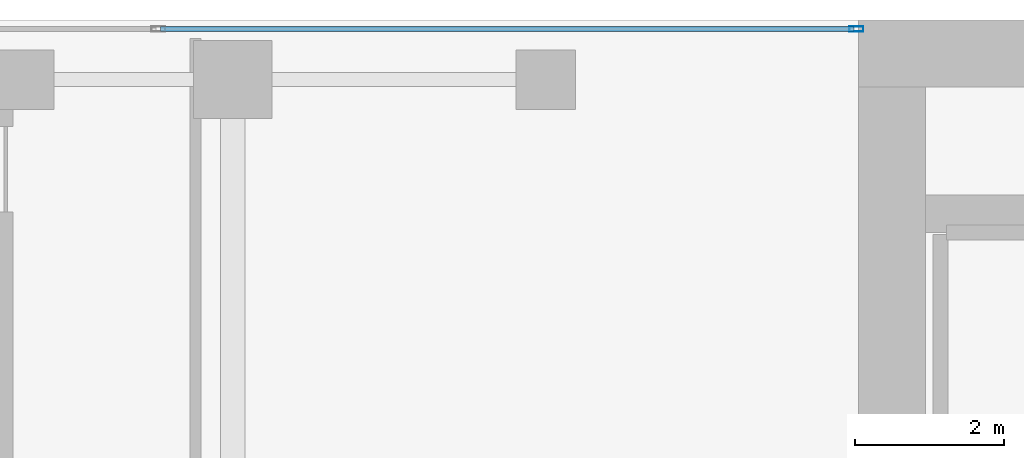
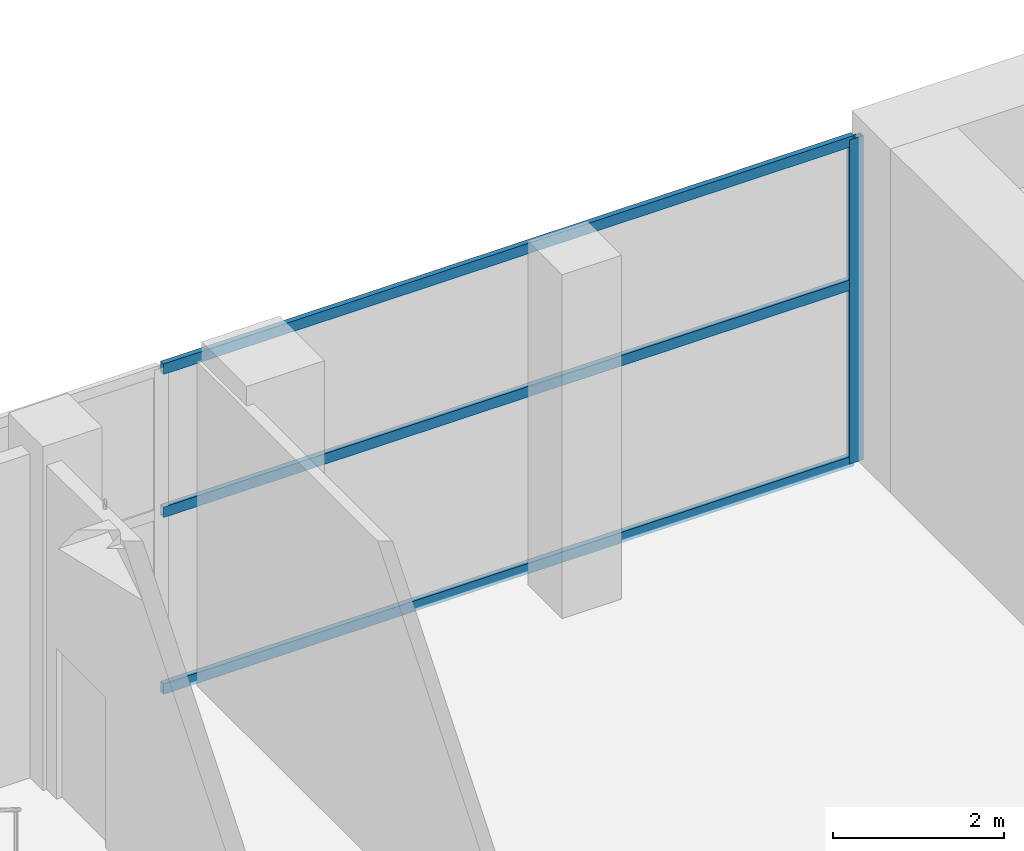
# One storey, part 21 of 39: 4 members, 1 element without a shape of its own.
"""IFC4 building model written with IfcOpenShell, lengths in metres."""

from ifc_helpers import new_model, si_unit, direction, frame, origin, origin_2d, place, context, subcontext, project, spatial, hollow_rectangle, extrude, material, layer, layer_set, material_profile, profile_set, type_object, element, aggregate, save


model = new_model("IFC4")

# Units and contexts
model_context = context("Model", 3, precision=1e-05, world=origin(), true_north=direction((0.0, 1.0)))
body_context = subcontext(model_context, "Body", "Model", "MODEL_VIEW")
ifc_project = project(units=[si_unit("LENGTHUNIT", "METRE"), si_unit("AREAUNIT", "SQUARE_METRE"), si_unit("VOLUMEUNIT", "CUBIC_METRE"), si_unit("PLANEANGLEUNIT", "RADIAN"), si_unit("MASSUNIT", "GRAM", prefix="KILO")], contexts=[model_context])

# Site, building, storey
site_placement = place(None, origin())
site = spatial("IfcSite", under=ifc_project, at=site_placement, CompositionType="ELEMENT")
building_placement = place(site_placement, origin())
building = spatial("IfcBuilding", under=site, at=building_placement, Name="Maruvema Waterfront Hotel and Observation Tower", CompositionType="ELEMENT")
storey_placement = place(building_placement, frame((0.0, 0.0, 16.449951171875)))
storey = spatial("IfcBuildingStorey", under=building, at=storey_placement, Name="L03", CompositionType="ELEMENT", Elevation=16.449951171875)

# Curtain wall, members
ifc_material_1 = material(Name="Anodised bronze aluminium and solar-control low-E IGU", Category="aluminium")
ifc_layer = layer(ifc_material_1, 0.159912109375, Name="Podium Waterfront Storefront Curtain Wall System CW-01")
ifc_layer_set = layer_set([ifc_layer], Name="Anodised bronze aluminium and solar-control low-E IGU")
curtain_wall_type = type_object("IfcCurtainWallType", Name="Podium Waterfront Storefront Curtain Wall System CW-01", PredefinedType="USERDEFINED", material=ifc_layer_set)
curtain_wall_placement = place(storey_placement, origin())
curtain_wall = element("IfcCurtainWall", 1, at=curtain_wall_placement, inside=storey, type_object=curtain_wall_type, Name="L03 Curtain Wall CW-L03-NW", ObjectType="UNITISED CURTAIN WALL", PredefinedType="USERDEFINED")
ifc_material_2 = material(Name="Anodised architectural bronze aluminium", Category="aluminium")
ifc_material_profile_1 = material_profile(ifc_material_2, hollow_rectangle(XDim=0.070068359375, YDim=0.14990234375, WallThickness=0.00390625, at=origin_2d()), Name="ALU-T70x150")
ifc_profile_set_1 = profile_set([ifc_material_profile_1], Name="Anodised architectural bronze aluminium")
member_type_1 = type_object("IfcMemberType", Name="Curtain Wall Horizontal Transom ALU-T70x150", PredefinedType="USERDEFINED", material=ifc_profile_set_1)
member_1_placement = place(storey_placement, frame((25.139892578125, 53.8798828125, 0.030029296875), z_axis=(-1.0, 0.0, 0.0), x_axis=(0.0, -1.0, 0.0)))
member_1 = element("IfcMember", 2, at=member_1_placement, type_object=member_type_1, Name="CW-01 transom 1.1", ObjectType="TRANSOM", PredefinedType="USERDEFINED", context=body_context, shape_type="SweptSolid", body=[
    extrude(hollow_rectangle(XDim=0.070068359375, YDim=0.14990234375, WallThickness=0.00390625, at=origin_2d()), origin(), (0.0, 0.0, 1.0), 9.309814453125),
])
member_2_placement = place(storey_placement, frame((25.139892578125, 53.8798828125, 2.550048828125), z_axis=(-1.0, 0.0, 0.0), x_axis=(0.0, -1.0, 0.0)))
member_2 = element("IfcMember", 3, at=member_2_placement, type_object=member_type_1, Name="CW-01 transom 1.2", ObjectType="TRANSOM", PredefinedType="USERDEFINED", context=body_context, shape_type="SweptSolid", body=[
    extrude(hollow_rectangle(XDim=0.070068359375, YDim=0.14990234375, WallThickness=0.00390625, at=origin_2d()), origin(), (0.0, 0.0, 1.0), 9.309814453125),
])
member_3_placement = place(storey_placement, frame((25.139892578125, 53.8798828125, 4.590087890625), z_axis=(-1.0, 0.0, 0.0), x_axis=(0.0, -1.0, 0.0)))
member_3 = element("IfcMember", 4, at=member_3_placement, type_object=member_type_1, Name="CW-01 transom 1.3", ObjectType="TRANSOM", PredefinedType="USERDEFINED", context=body_context, shape_type="SweptSolid", body=[
    extrude(hollow_rectangle(XDim=0.070068359375, YDim=0.14990234375, WallThickness=0.00390625, at=origin_2d()), origin(), (0.0, 0.0, 1.0), 9.309814453125),
])
ifc_material_3 = material(Name="Anodised architectural bronze aluminium", Category="aluminium")
ifc_material_profile_2 = material_profile(ifc_material_3, hollow_rectangle(XDim=0.070068359375, YDim=0.18994140625, WallThickness=0.00390625, at=origin_2d()), Name="ALU-M70x190")
ifc_profile_set_2 = profile_set([ifc_material_profile_2], Name="Anodised architectural bronze aluminium")
member_type_2 = type_object("IfcMemberType", Name="Podium Storefront Heavy Mullion ALU-M70x190", PredefinedType="MULLION", material=ifc_profile_set_2)
member_4_placement = place(storey_placement, frame((25.169921875, 53.8798828125, 0.0), z_axis=(0.0, 0.0, 1.0), x_axis=(0.0, -1.0, 0.0)))
member_4 = element("IfcMember", 5, at=member_4_placement, type_object=member_type_2, Name="CW-01 mullion 1", PredefinedType="MULLION", context=body_context, shape_type="SweptSolid", body=[
    extrude(hollow_rectangle(XDim=0.070068359375, YDim=0.18994140625, WallThickness=0.00390625, at=origin_2d()), origin(), (0.0, 0.0, 1.0), 4.6201171875),
])
aggregate(curtain_wall, [member_4, member_1, member_2, member_3])

save(model, "model.ifc")
